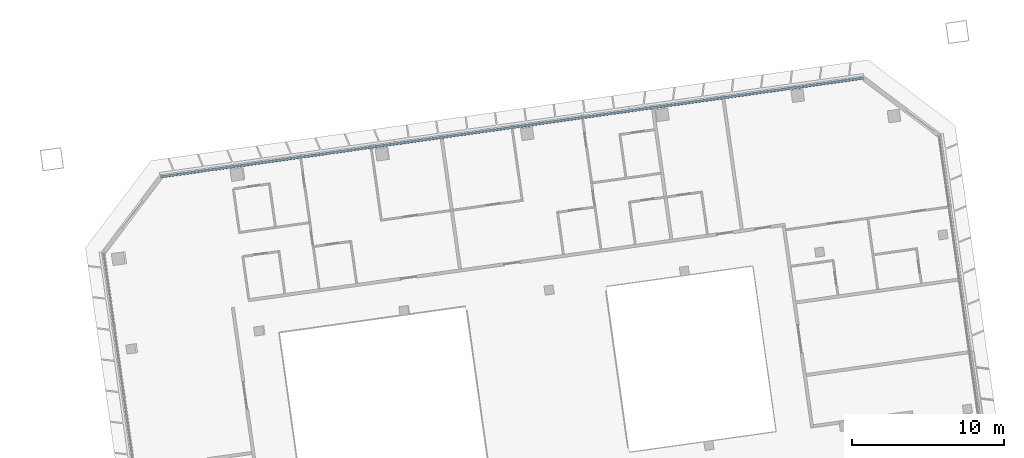
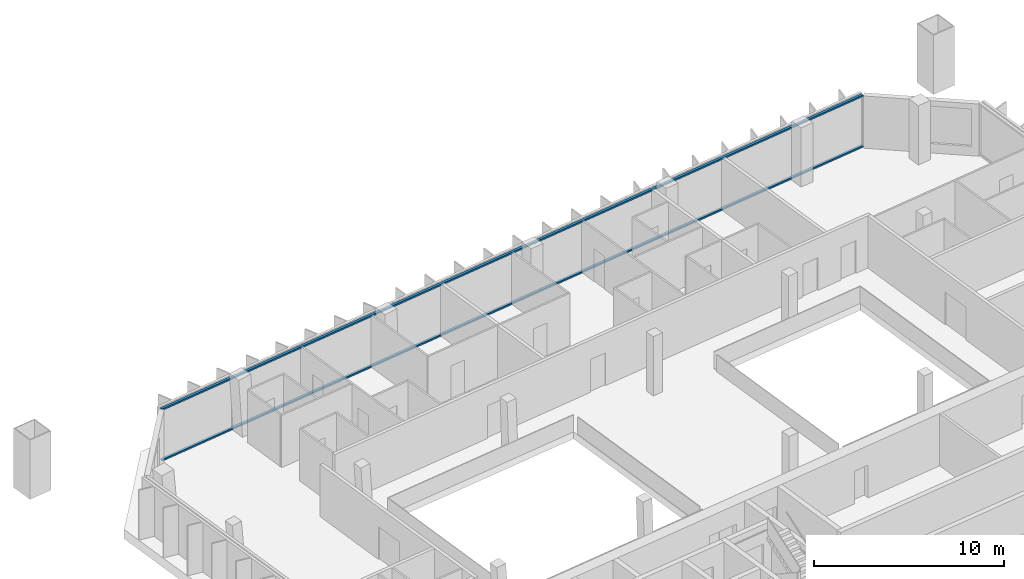
# One storey, part 10 of 22: 2 members, 1 element without a shape of its own.
"""IFC4 building model written with IfcOpenShell, lengths in metres."""

from ifc_helpers import new_model, si_unit, direction, frame, origin, origin_2d, place, context, subcontext, project, spatial, rectangle, extrude, material, material_profile, profile_set, type_object, element, aggregate, save


model = new_model("IFC4")

# Units and contexts
model_context = context("Model", 3, precision=1e-05, world=origin(), true_north=direction((0.0, 1.0)))
body_context = subcontext(model_context, "Body", "Model", "MODEL_VIEW")
ifc_project = project(units=[si_unit("LENGTHUNIT", "METRE"), si_unit("AREAUNIT", "SQUARE_METRE"), si_unit("VOLUMEUNIT", "CUBIC_METRE"), si_unit("PLANEANGLEUNIT", "RADIAN"), si_unit("MASSUNIT", "GRAM", prefix="KILO")], contexts=[model_context])

# Site, building, storey
site_placement = place(None, origin())
site = spatial("IfcSite", under=ifc_project, at=site_placement, CompositionType="ELEMENT")
building_placement = place(site_placement, origin())
building = spatial("IfcBuilding", under=site, at=building_placement, Name="Mirante Cascada Hotel Towers", CompositionType="ELEMENT")
storey_placement = place(building_placement, frame((0.0, 0.0, 191.6)))
storey = spatial("IfcBuildingStorey", under=building, at=storey_placement, Name="L45", CompositionType="ELEMENT", Elevation=191.6)

# Curtain wall, members
ifc_material_1 = material(Name="Aluminium mullion and transom frame with clear laminated glass", Category="aluminium")
curtain_wall_type = type_object("IfcCurtainWallType", Name="Ribbon curtain wall ECW1", PredefinedType="NOTDEFINED", material=ifc_material_1)
curtain_wall_placement = place(storey_placement, origin())
curtain_wall = element("IfcCurtainWall", 1, at=curtain_wall_placement, inside=storey, type_object=curtain_wall_type, Name="Front ribbon wall T2 L45", PredefinedType="NOTDEFINED")
ifc_material_2 = material(Name="Anodised aluminium extrusion", Category="aluminium")
ifc_material_profile = material_profile(ifc_material_2, rectangle(XDim=0.16, YDim=0.1, at=origin_2d()), Name="ECW1 TRANSOM 100x160")
ifc_profile_set = profile_set([ifc_material_profile], Name="Anodised aluminium extrusion")
member_type = type_object("IfcMemberType", Name="ECW1 transom 100x160", PredefinedType="USERDEFINED", material=ifc_profile_set)
member_1_placement = place(storey_placement, frame((76.3333, 23.547, 0.05), z_axis=(-0.9902681, -0.1391727, 0.0), x_axis=(0.1391727, -0.9902681, 0.0)))
member_1 = element("IfcMember", 2, at=member_1_placement, type_object=member_type, Name="ECW1 sill transom", ObjectType="TRANSOM", PredefinedType="USERDEFINED", context=body_context, shape_type="SweptSolid", body=[
    extrude(rectangle(XDim=0.16, YDim=0.1, at=origin_2d()), origin(), (0.0, 0.0, 1.0), 46.7448),
])
member_2_placement = place(storey_placement, frame((76.3333, 23.547, 3.3), z_axis=(-0.9902681, -0.1391727, 0.0), x_axis=(0.1391727, -0.9902681, 0.0)))
member_2 = element("IfcMember", 3, at=member_2_placement, type_object=member_type, Name="ECW1 head transom", ObjectType="TRANSOM", PredefinedType="USERDEFINED", context=body_context, shape_type="SweptSolid", body=[
    extrude(rectangle(XDim=0.16, YDim=0.1, at=origin_2d()), origin(), (0.0, 0.0, 1.0), 46.7448),
])
aggregate(curtain_wall, [member_1, member_2])

save(model, "model.ifc")
